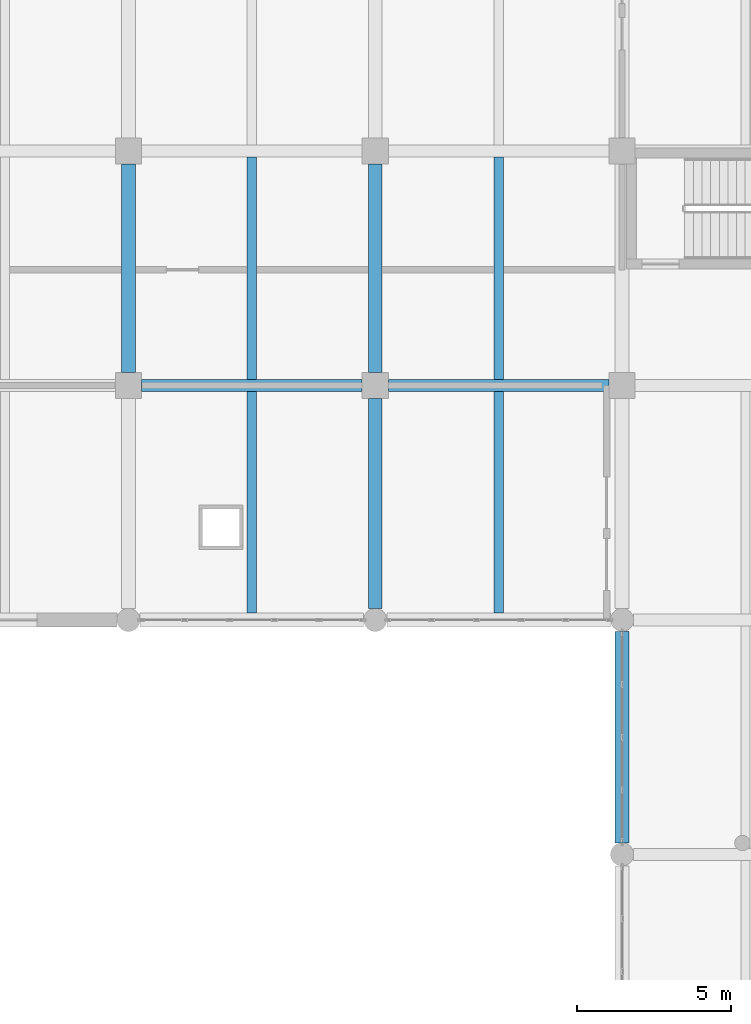
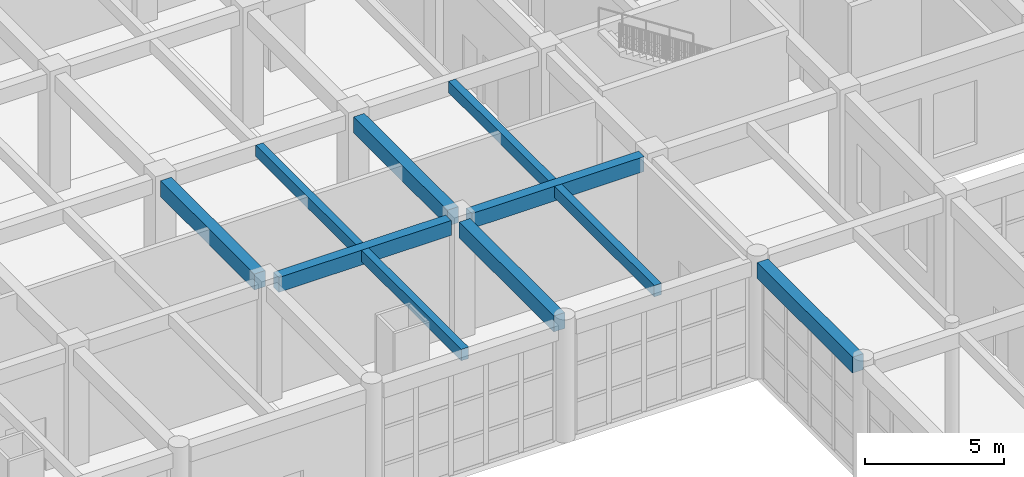
# One storey, part 41 of 95: 10 beams.
"""IFC4 building model written with IfcOpenShell, lengths in metres."""

from ifc_helpers import new_model, si_unit, direction, frame, origin, origin_2d, place, context, subcontext, project, spatial, rectangle, extrude, material, material_profile, profile_set, type_object, element, save


model = new_model("IFC4")

# Units and contexts
model_context = context("Model", 3, precision=1e-05, world=origin(), true_north=direction((0.0, 1.0)))
body_context = subcontext(model_context, "Body", "Model", "MODEL_VIEW")
ifc_project = project(units=[si_unit("LENGTHUNIT", "METRE"), si_unit("AREAUNIT", "SQUARE_METRE"), si_unit("VOLUMEUNIT", "CUBIC_METRE"), si_unit("PLANEANGLEUNIT", "RADIAN"), si_unit("MASSUNIT", "GRAM", prefix="KILO")], contexts=[model_context])

# Site, building, storey
site_placement = place(None, origin())
site = spatial("IfcSite", under=ifc_project, at=site_placement, CompositionType="ELEMENT")
building_placement = place(site_placement, origin())
building = spatial("IfcBuilding", under=site, at=building_placement, Name="Zantavel Square City Hall", CompositionType="ELEMENT")
storey_placement = place(building_placement, origin())
storey = spatial("IfcBuildingStorey", under=building, at=storey_placement, Name="L01", CompositionType="ELEMENT", Elevation=0.0)

# Beams
ifc_material = material(Name="Concrete C35/45", Category="concrete")
ifc_material_profile_1 = material_profile(ifc_material, rectangle(XDim=0.300048828125, YDim=0.5, at=origin_2d()), Name="RC 300x500")
ifc_profile_set_1 = profile_set([ifc_material_profile_1], Name="Concrete C35/45")
beam_type_1 = type_object("IfcBeamType", Name="Floor Joist RC 300x500 C35/45", PredefinedType="JOIST", material=ifc_profile_set_1)
beam_1_placement = place(storey_placement, frame((36.0, 68.625, 4.909912109375), z_axis=(0.0, 1.0, 0.0), x_axis=(-1.0, 0.0, 0.0)))
element("IfcBeam", 1, at=beam_1_placement, inside=storey, type_object=beam_type_1, Name="L01 Floor Joist JST-L01-0360-0684", PredefinedType="JOIST", context=body_context, shape_type="SweptSolid", body=[
    extrude(rectangle(XDim=0.300048828125, YDim=0.5, at=origin_2d()), origin(), (0.0, 0.0, 1.0), 7.175048828125),
])
beam_2_placement = place(storey_placement, frame((36.0, 76.199951171875, 4.909912109375), z_axis=(0.0, 1.0, 0.0), x_axis=(-1.0, 0.0, 0.0)))
element("IfcBeam", 2, at=beam_2_placement, inside=storey, type_object=beam_type_1, Name="L01 Floor Joist JST-L01-0360-0760", PredefinedType="JOIST", context=body_context, shape_type="SweptSolid", body=[
    extrude(rectangle(XDim=0.300048828125, YDim=0.5, at=origin_2d()), origin(), (0.0, 0.0, 1.0), 7.199951171875),
])
beam_3_placement = place(storey_placement, frame((44.0, 68.625, 4.909912109375), z_axis=(0.0, 1.0, 0.0), x_axis=(-1.0, 0.0, 0.0)))
element("IfcBeam", 3, at=beam_3_placement, inside=storey, type_object=beam_type_1, Name="L01 Floor Joist JST-L01-0440-0684", PredefinedType="JOIST", context=body_context, shape_type="SweptSolid", body=[
    extrude(rectangle(XDim=0.300048828125, YDim=0.5, at=origin_2d()), origin(), (0.0, 0.0, 1.0), 7.175048828125),
])
beam_4_placement = place(storey_placement, frame((44.0, 76.199951171875, 4.909912109375), z_axis=(0.0, 1.0, 0.0), x_axis=(-1.0, 0.0, 0.0)))
element("IfcBeam", 4, at=beam_4_placement, inside=storey, type_object=beam_type_1, Name="L01 Floor Joist JST-L01-0440-0760", PredefinedType="JOIST", context=body_context, shape_type="SweptSolid", body=[
    extrude(rectangle(XDim=0.300048828125, YDim=0.5, at=origin_2d()), origin(), (0.0, 0.0, 1.0), 7.199951171875),
])
ifc_material_profile_2 = material_profile(ifc_material, rectangle(XDim=0.39990234375, YDim=0.64990234375, at=origin_2d()), Name="RC 400x650")
ifc_profile_set_2 = profile_set([ifc_material_profile_2], Name="Concrete C35/45")
beam_type_2 = type_object("IfcBeamType", Name="Frame Beam RC 400x650 C35/45", PredefinedType="BEAM", material=ifc_profile_set_2)
for number, where, z_axis, x_axis, name in (
    (5, (32.425048828125, 76.0, 4.8349609375), (1.0, 0.0, 0.0), (0.0, 1.0, 0.0), "L01 Girder BMX-L01-0320-0760"),
    (6, (40.425048828125, 76.0, 4.8349609375), (1.0, 0.0, 0.0), (0.0, 1.0, 0.0), "L01 Girder BMX-L01-0400-0760"),
):
    element("IfcBeam", number, at=place(storey_placement, frame(where, z_axis=z_axis, x_axis=x_axis)), inside=storey, type_object=beam_type_2, Name=name, PredefinedType="BEAM", context=body_context, shape_type="SweptSolid", body=[
        extrude(rectangle(XDim=0.39990234375, YDim=0.64990234375, at=origin_2d()), origin(), (0.0, 0.0, 1.0), 7.14990234375),
    ])
ifc_material_profile_3 = material_profile(ifc_material, rectangle(XDim=0.449951171875, YDim=0.699951171875, at=origin_2d()), Name="RC 450x700")
ifc_profile_set_3 = profile_set([ifc_material_profile_3], Name="Concrete C35/45")
beam_type_3 = type_object("IfcBeamType", Name="Primary Girder RC 450x700 C35/45", PredefinedType="BEAM", material=ifc_profile_set_3)
beam_5_placement = place(storey_placement, frame((32.0, 76.425048828125, 4.81005859375), z_axis=(0.0, 1.0, 0.0), x_axis=(-1.0, 0.0, 0.0)))
element("IfcBeam", 7, at=beam_5_placement, inside=storey, type_object=beam_type_3, Name="L01 Beam BMY-L01-0320-0760", PredefinedType="BEAM", context=body_context, shape_type="SweptSolid", body=[
    extrude(rectangle(XDim=0.449951171875, YDim=0.699951171875, at=origin_2d()), origin(), (0.0, 0.0, 1.0), 6.75),
])
beam_6_placement = place(storey_placement, frame((40.0, 68.77490234375, 4.81005859375), z_axis=(0.0, 1.0, 0.0), x_axis=(-1.0, 0.0, 0.0)))
element("IfcBeam", 8, at=beam_6_placement, inside=storey, type_object=beam_type_3, Name="L01 Beam BMY-L01-0400-0684", PredefinedType="BEAM", context=body_context, shape_type="SweptSolid", body=[
    extrude(rectangle(XDim=0.449951171875, YDim=0.699951171875, at=origin_2d()), origin(), (0.0, 0.0, 1.0), 6.800048828125),
])
beam_7_placement = place(storey_placement, frame((40.0, 76.425048828125, 4.81005859375), z_axis=(0.0, 1.0, 0.0), x_axis=(-1.0, 0.0, 0.0)))
element("IfcBeam", 9, at=beam_7_placement, inside=storey, type_object=beam_type_3, Name="L01 Beam BMY-L01-0400-0760", PredefinedType="BEAM", context=body_context, shape_type="SweptSolid", body=[
    extrude(rectangle(XDim=0.449951171875, YDim=0.699951171875, at=origin_2d()), origin(), (0.0, 0.0, 1.0), 6.75),
])
beam_8_placement = place(storey_placement, frame((48.0, 61.175048828125, 4.81005859375), z_axis=(0.0, 1.0, 0.0), x_axis=(-1.0, 0.0, 0.0)))
element("IfcBeam", 10, at=beam_8_placement, inside=storey, type_object=beam_type_3, Name="L01 Beam BMY-L01-0480-0608", PredefinedType="BEAM", context=body_context, shape_type="SweptSolid", body=[
    extrude(rectangle(XDim=0.449951171875, YDim=0.699951171875, at=origin_2d()), origin(), (0.0, 0.0, 1.0), 6.849853515625),
])

save(model, "model.ifc")
